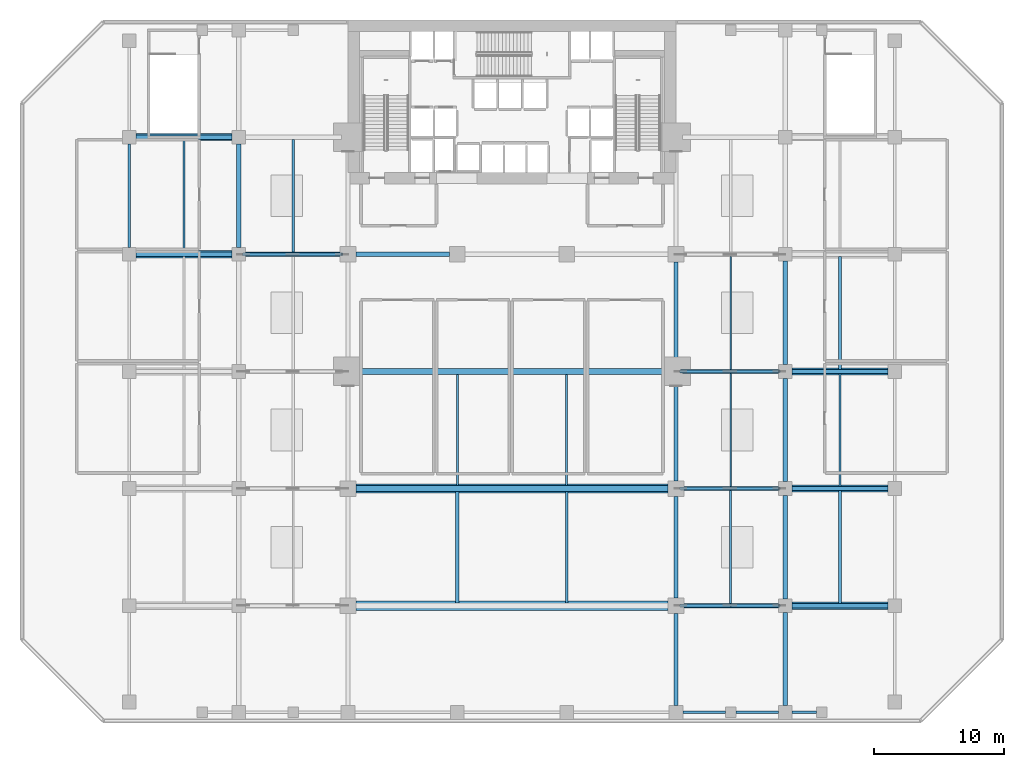
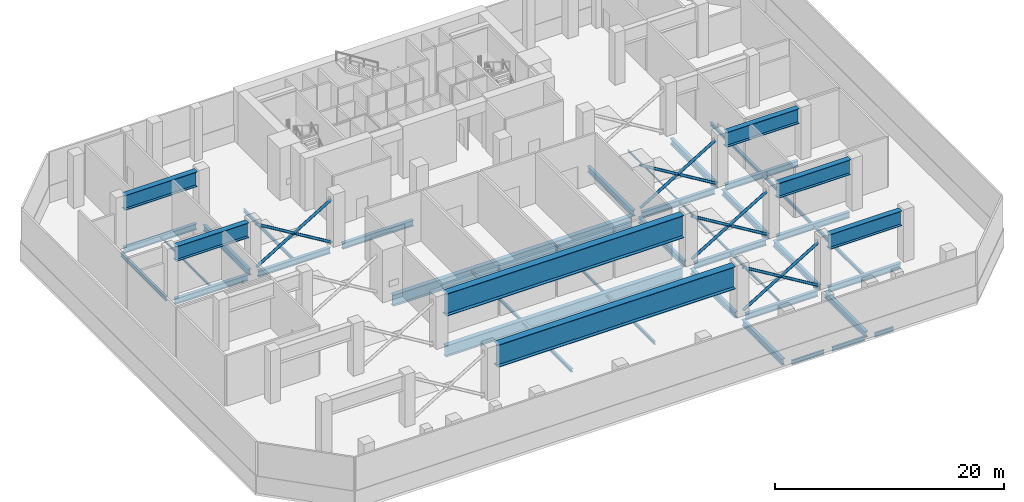
# One storey, part 2 of 15: 44 beams, 12 members.
"""IFC4 building model written with IfcOpenShell, lengths in metres."""

from ifc_helpers import new_model, si_unit, direction, frame, origin, origin_2d, place, context, subcontext, project, spatial, hollow_circle, i_section, extrude, material, material_profile, profile_set, type_object, element, save


model = new_model("IFC4")

# Units and contexts
model_context = context("Model", 3, precision=1e-05, world=origin(), true_north=direction((0.0, 1.0)))
body_context = subcontext(model_context, "Body", "Model", "MODEL_VIEW")
ifc_project = project(units=[si_unit("LENGTHUNIT", "METRE"), si_unit("AREAUNIT", "SQUARE_METRE"), si_unit("VOLUMEUNIT", "CUBIC_METRE"), si_unit("PLANEANGLEUNIT", "RADIAN"), si_unit("MASSUNIT", "GRAM", prefix="KILO")], contexts=[model_context])

# Site, building, storey
site_placement = place(None, origin())
site = spatial("IfcSite", under=ifc_project, at=site_placement, CompositionType="ELEMENT")
building_placement = place(site_placement, origin())
building = spatial("IfcBuilding", under=site, at=building_placement, Name="Maruvema Waterfront Hotel and Observation Tower", CompositionType="ELEMENT")
storey_placement = place(building_placement, frame((0.0, 0.0, 21.35009765625)))
storey = spatial("IfcBuildingStorey", under=building, at=storey_placement, Name="L04", CompositionType="ELEMENT", Elevation=21.35009765625)

# Beams
ifc_material_1 = material(Name="Steel ABNT NBR 7007 AR 415 (ASTM A572 Grade 50)", Category="steel")
ifc_material_profile_1 = material_profile(ifc_material_1, i_section(OverallWidth=0.699951171875, OverallDepth=2.39990234375, WebThickness=0.028076171875, FlangeThickness=0.050048828125, at=origin_2d()), Name="VS2400x892")
ifc_profile_set_1 = profile_set([ifc_material_profile_1], Name="Steel ABNT NBR 7007 AR 415 (ASTM A572 Grade 50)")
beam_type_1 = type_object("IfcBeamType", Name="Ballroom Transfer Girder VS2400x892", PredefinedType="USERDEFINED", material=ifc_profile_set_1)
for number, where, z_axis, x_axis, name in (
    (1, (25.800048828125, 9.0, 4.159912109375), (1.0, 0.0, 0.0), (0.0, 1.0, 0.0), "L04 Ballroom Transfer Girder Y=9.0m"),
    (2, (25.800048828125, 18.0, 4.159912109375), (1.0, 0.0, 0.0), (0.0, 1.0, 0.0), "L04 Ballroom Transfer Girder Y=18.0m"),
):
    element("IfcBeam", number, at=place(storey_placement, frame(where, z_axis=z_axis, x_axis=x_axis)), inside=storey, type_object=beam_type_1, Name=name, ObjectType="TRANSFER GIRDER", PredefinedType="USERDEFINED", context=body_context, shape_type="SweptSolid", body=[
        extrude(i_section(OverallWidth=0.699951171875, OverallDepth=2.39990234375, WebThickness=0.028076171875, FlangeThickness=0.050048828125, at=origin_2d()), origin(), (0.0, 0.0, 1.0), 24.0),
    ])
ifc_material_2 = material(Name="Steel ASTM A572 Grade 50", Category="steel")
ifc_material_profile_2 = material_profile(ifc_material_2, i_section(OverallWidth=0.18994140625, OverallDepth=0.45703125, WebThickness=0.009033203125, FlangeThickness=0.014404296875, FilletRadius=0.014892578125, at=origin_2d()), Name="W460x74.0")
ifc_profile_set_2 = profile_set([ifc_material_profile_2], Name="Steel ASTM A572 Grade 50")
beam_type_2 = type_object("IfcBeamType", Name="Perimeter Spandrel Beam W460x74.0", PredefinedType="SPANDREL", material=ifc_profile_set_2)
for number, where, z_axis, x_axis, name in (
    (3, (50.925048828125, 0.800048828125, -0.508544921875), (1.0, 0.0, 0.0), (0.0, 1.0, 0.0), "L04 Floor Girder EW-07"),
    (4, (55.0, 0.800048828125, -0.508544921875), (1.0, 0.0, 0.0), (0.0, 1.0, 0.0), "L04 Floor Girder EW-08"),
):
    element("IfcBeam", number, at=place(storey_placement, frame(where, z_axis=z_axis, x_axis=x_axis)), inside=storey, type_object=beam_type_2, Name=name, PredefinedType="SPANDREL", context=body_context, shape_type="SweptSolid", body=[
        extrude(i_section(OverallWidth=0.18994140625, OverallDepth=0.45703125, WebThickness=0.009033203125, FlangeThickness=0.014404296875, FilletRadius=0.014892578125, at=origin_2d()), origin(), (0.0, 0.0, 1.0), 3.27490234375),
    ])
beam_1_placement = place(storey_placement, frame((59.324951171875, 0.800048828125, -0.508544921875), z_axis=(1.0, 0.0, 0.0), x_axis=(0.0, 1.0, 0.0)))
element("IfcBeam", 5, at=beam_1_placement, inside=storey, type_object=beam_type_2, Name="L04 Floor Girder EW-09", PredefinedType="SPANDREL", context=body_context, shape_type="SweptSolid", body=[
    extrude(i_section(OverallWidth=0.18994140625, OverallDepth=0.45703125, WebThickness=0.009033203125, FlangeThickness=0.014404296875, FilletRadius=0.014892578125, at=origin_2d()), origin(), (0.0, 0.0, 1.0), 1.875),
])
beam_2_placement = place(storey_placement, frame((8.39990234375, 36.52490234375, -0.508544921875), z_axis=(0.0, 1.0, 0.0), x_axis=(-1.0, 0.0, 0.0)))
element("IfcBeam", 6, at=beam_2_placement, inside=storey, type_object=beam_type_2, Name="L04 Floor Girder NS-05", PredefinedType="SPANDREL", context=body_context, shape_type="SweptSolid", body=[
    extrude(i_section(OverallWidth=0.18994140625, OverallDepth=0.45703125, WebThickness=0.009033203125, FlangeThickness=0.014404296875, FilletRadius=0.014892578125, at=origin_2d()), origin(), (0.0, 0.0, 1.0), 7.9501953125),
])

# Members
ifc_material_3 = material(Name="Steel ABNT NBR 7007 AR 350 (ASTM A572 Grade 50)", Category="steel")
ifc_material_profile_3 = material_profile(ifc_material_3, hollow_circle(Radius=0.136474609375, WallThickness=0.012451171875, at=origin_2d()), Name="CHS273.0x12.5")
ifc_profile_set_3 = profile_set([ifc_material_profile_3], Name="Steel ABNT NBR 7007 AR 350 (ASTM A572 Grade 50)")
member_type = type_object("IfcMemberType", Name="Podium Transfer Strut CHS273.0x12.5", PredefinedType="BRACE", material=ifc_profile_set_3)
member_1_placement = place(storey_placement, frame((50.75, 9.0, 0.14990234375), z_axis=(0.855997175683, 0.0, 0.516980497913), x_axis=(0.0, 1.0, 0.0)))
element("IfcMember", 7, at=member_1_placement, inside=storey, type_object=member_type, Name="L04 Transfer Truss Diagonal 02 Continuous A", PredefinedType="BRACE", context=body_context, shape_type="SweptSolid", body=[
    extrude(hollow_circle(Radius=0.136474609375, WallThickness=0.012451171875, at=origin_2d()), origin(), (0.0, 0.0, 1.0), 8.878662109375),
])
for number, where, z_axis, x_axis, name in (
    (8, (58.35009765625, 9.0, 0.14990234375), (-0.856002637589, 0.0, 0.516971454183), (0.0, -1.0, 0.0), "L04 Transfer Truss Diagonal 02 Split Lower B1"),
    (9, (54.532958984375, 9.0, 2.455322265625), (-0.856002637589, 0.0, 0.516971454183), (0.0, -1.0, 0.0), "L04 Transfer Truss Diagonal 02 Split Upper B2"),
):
    element("IfcMember", number, at=place(storey_placement, frame(where, z_axis=z_axis, x_axis=x_axis)), inside=storey, type_object=member_type, Name=name, PredefinedType="BRACE", context=body_context, shape_type="SweptSolid", body=[
        extrude(hollow_circle(Radius=0.136474609375, WallThickness=0.012451171875, at=origin_2d()), origin(), (0.0, 0.0, 1.0), 4.41943359375),
    ])
member_2_placement = place(storey_placement, frame((50.75, 18.0, 0.14990234375), z_axis=(0.855997175683, 0.0, 0.516980497913), x_axis=(0.0, 1.0, 0.0)))
element("IfcMember", 10, at=member_2_placement, inside=storey, type_object=member_type, Name="L04 Transfer Truss Diagonal 04 Continuous A", PredefinedType="BRACE", context=body_context, shape_type="SweptSolid", body=[
    extrude(hollow_circle(Radius=0.136474609375, WallThickness=0.012451171875, at=origin_2d()), origin(), (0.0, 0.0, 1.0), 8.878662109375),
])
for number, where, z_axis, x_axis, name in (
    (11, (58.35009765625, 18.0, 0.14990234375), (-0.856002637589, 0.0, 0.516971454183), (0.0, -1.0, 0.0), "L04 Transfer Truss Diagonal 04 Split Lower B1"),
    (12, (54.532958984375, 18.0, 2.455322265625), (-0.856002637589, 0.0, 0.516971454183), (0.0, -1.0, 0.0), "L04 Transfer Truss Diagonal 04 Split Upper B2"),
):
    element("IfcMember", number, at=place(storey_placement, frame(where, z_axis=z_axis, x_axis=x_axis)), inside=storey, type_object=member_type, Name=name, PredefinedType="BRACE", context=body_context, shape_type="SweptSolid", body=[
        extrude(hollow_circle(Radius=0.136474609375, WallThickness=0.012451171875, at=origin_2d()), origin(), (0.0, 0.0, 1.0), 4.41943359375),
    ])
member_3_placement = place(storey_placement, frame((50.75, 27.0, 0.14990234375), z_axis=(0.855997175683, 0.0, 0.516980497913), x_axis=(0.0, 1.0, 0.0)))
element("IfcMember", 13, at=member_3_placement, inside=storey, type_object=member_type, Name="L04 Transfer Truss Diagonal 06 Continuous A", PredefinedType="BRACE", context=body_context, shape_type="SweptSolid", body=[
    extrude(hollow_circle(Radius=0.136474609375, WallThickness=0.012451171875, at=origin_2d()), origin(), (0.0, 0.0, 1.0), 8.878662109375),
])
for number, where, z_axis, x_axis, name in (
    (14, (58.35009765625, 27.0, 0.14990234375), (-0.856002637589, 0.0, 0.516971454183), (0.0, -1.0, 0.0), "L04 Transfer Truss Diagonal 06 Split Lower B1"),
    (15, (54.532958984375, 27.0, 2.455322265625), (-0.856002637589, 0.0, 0.516971454183), (0.0, -1.0, 0.0), "L04 Transfer Truss Diagonal 06 Split Upper B2"),
):
    element("IfcMember", number, at=place(storey_placement, frame(where, z_axis=z_axis, x_axis=x_axis)), inside=storey, type_object=member_type, Name=name, PredefinedType="BRACE", context=body_context, shape_type="SweptSolid", body=[
        extrude(hollow_circle(Radius=0.136474609375, WallThickness=0.012451171875, at=origin_2d()), origin(), (0.0, 0.0, 1.0), 4.41943359375),
    ])
member_4_placement = place(storey_placement, frame((17.14990234375, 36.0, 0.14990234375), z_axis=(0.855997175683, 0.0, 0.516980497913), x_axis=(0.0, 1.0, 0.0)))
element("IfcMember", 16, at=member_4_placement, inside=storey, type_object=member_type, Name="L04 Transfer Truss Diagonal 07 Continuous A", PredefinedType="BRACE", context=body_context, shape_type="SweptSolid", body=[
    extrude(hollow_circle(Radius=0.136474609375, WallThickness=0.012451171875, at=origin_2d()), origin(), (0.0, 0.0, 1.0), 8.878662109375),
])
for number, where, z_axis, x_axis, name in (
    (17, (24.75, 36.0, 0.14990234375), (-0.856002637589, 0.0, 0.516971454183), (0.0, -1.0, 0.0), "L04 Transfer Truss Diagonal 07 Split Lower B1"),
    (18, (20.932861328125, 36.0, 2.455322265625), (-0.856002637589, 0.0, 0.516971454183), (0.0, -1.0, 0.0), "L04 Transfer Truss Diagonal 07 Split Upper B2"),
):
    element("IfcMember", number, at=place(storey_placement, frame(where, z_axis=z_axis, x_axis=x_axis)), inside=storey, type_object=member_type, Name=name, PredefinedType="BRACE", context=body_context, shape_type="SweptSolid", body=[
        extrude(hollow_circle(Radius=0.136474609375, WallThickness=0.012451171875, at=origin_2d()), origin(), (0.0, 0.0, 1.0), 4.41943359375),
    ])

# Beams
ifc_material_4 = material(Name="Steel ASTM A572 Grade 50", Category="steel")
ifc_material_profile_4 = material_profile(ifc_material_4, i_section(OverallWidth=0.3291015625, OverallDepth=0.635009765625, WebThickness=0.017822265625, FlangeThickness=0.031005859375, FilletRadius=0.01806640625, at=origin_2d()), Name="W610x241.0")
ifc_profile_set_4 = profile_set([ifc_material_profile_4], Name="Steel ASTM A572 Grade 50")
beam_type_3 = type_object("IfcBeamType", Name="Primary Floor Girder W610x241.0", PredefinedType="BEAM", material=ifc_profile_set_4)
beam_3_placement = place(storey_placement, frame((51.0, 9.0, -0.59765625), z_axis=(1.0, 0.0, 0.0), x_axis=(0.0, 1.0, 0.0)))
element("IfcBeam", 19, at=beam_3_placement, inside=storey, type_object=beam_type_3, Name="L04 Floor Girder EW-13", PredefinedType="BEAM", context=body_context, shape_type="SweptSolid", body=[
    extrude(i_section(OverallWidth=0.3291015625, OverallDepth=0.635009765625, WebThickness=0.017822265625, FlangeThickness=0.031005859375, FilletRadius=0.01806640625, at=origin_2d()), origin(), (0.0, 0.0, 1.0), 7.27490234375),
])
beam_4_placement = place(storey_placement, frame((59.324951171875, 9.0, -0.59765625), z_axis=(1.0, 0.0, 0.0), x_axis=(0.0, 1.0, 0.0)))
element("IfcBeam", 20, at=beam_4_placement, inside=storey, type_object=beam_type_3, Name="L04 Floor Girder EW-14", PredefinedType="BEAM", context=body_context, shape_type="SweptSolid", body=[
    extrude(i_section(OverallWidth=0.3291015625, OverallDepth=0.635009765625, WebThickness=0.017822265625, FlangeThickness=0.031005859375, FilletRadius=0.01806640625, at=origin_2d()), origin(), (0.0, 0.0, 1.0), 7.35009765625),
])
beam_5_placement = place(storey_placement, frame((51.0, 18.0, -0.59765625), z_axis=(1.0, 0.0, 0.0), x_axis=(0.0, 1.0, 0.0)))
element("IfcBeam", 21, at=beam_5_placement, inside=storey, type_object=beam_type_3, Name="L04 Floor Girder EW-18", PredefinedType="BEAM", context=body_context, shape_type="SweptSolid", body=[
    extrude(i_section(OverallWidth=0.3291015625, OverallDepth=0.635009765625, WebThickness=0.017822265625, FlangeThickness=0.031005859375, FilletRadius=0.01806640625, at=origin_2d()), origin(), (0.0, 0.0, 1.0), 7.27490234375),
])
beam_6_placement = place(storey_placement, frame((59.324951171875, 18.0, -0.59765625), z_axis=(1.0, 0.0, 0.0), x_axis=(0.0, 1.0, 0.0)))
element("IfcBeam", 22, at=beam_6_placement, inside=storey, type_object=beam_type_3, Name="L04 Floor Girder EW-19", PredefinedType="BEAM", context=body_context, shape_type="SweptSolid", body=[
    extrude(i_section(OverallWidth=0.3291015625, OverallDepth=0.635009765625, WebThickness=0.017822265625, FlangeThickness=0.031005859375, FilletRadius=0.01806640625, at=origin_2d()), origin(), (0.0, 0.0, 1.0), 7.35009765625),
])
beam_7_placement = place(storey_placement, frame((50.89990234375, 27.0, -0.59765625), z_axis=(1.0, 0.0, 0.0), x_axis=(0.0, 1.0, 0.0)))
element("IfcBeam", 23, at=beam_7_placement, inside=storey, type_object=beam_type_3, Name="L04 Floor Girder EW-23", PredefinedType="BEAM", context=body_context, shape_type="SweptSolid", body=[
    extrude(i_section(OverallWidth=0.3291015625, OverallDepth=0.635009765625, WebThickness=0.017822265625, FlangeThickness=0.031005859375, FilletRadius=0.01806640625, at=origin_2d()), origin(), (0.0, 0.0, 1.0), 7.375),
])
beam_8_placement = place(storey_placement, frame((59.324951171875, 27.0, -0.59765625), z_axis=(1.0, 0.0, 0.0), x_axis=(0.0, 1.0, 0.0)))
element("IfcBeam", 24, at=beam_8_placement, inside=storey, type_object=beam_type_3, Name="L04 Floor Girder EW-24", PredefinedType="BEAM", context=body_context, shape_type="SweptSolid", body=[
    extrude(i_section(OverallWidth=0.3291015625, OverallDepth=0.635009765625, WebThickness=0.017822265625, FlangeThickness=0.031005859375, FilletRadius=0.01806640625, at=origin_2d()), origin(), (0.0, 0.0, 1.0), 7.35009765625),
])
beam_9_placement = place(storey_placement, frame((8.925048828125, 36.0, -0.59765625), z_axis=(1.0, 0.0, 0.0), x_axis=(0.0, 1.0, 0.0)))
element("IfcBeam", 25, at=beam_9_placement, inside=storey, type_object=beam_type_3, Name="L04 Floor Girder EW-25", PredefinedType="BEAM", context=body_context, shape_type="SweptSolid", body=[
    extrude(i_section(OverallWidth=0.3291015625, OverallDepth=0.635009765625, WebThickness=0.017822265625, FlangeThickness=0.031005859375, FilletRadius=0.01806640625, at=origin_2d()), origin(), (0.0, 0.0, 1.0), 7.349853515625),
])
beam_10_placement = place(storey_placement, frame((17.324951171875, 36.0, -0.59765625), z_axis=(1.0, 0.0, 0.0), x_axis=(0.0, 1.0, 0.0)))
element("IfcBeam", 26, at=beam_10_placement, inside=storey, type_object=beam_type_3, Name="L04 Floor Girder EW-26", PredefinedType="BEAM", context=body_context, shape_type="SweptSolid", body=[
    extrude(i_section(OverallWidth=0.3291015625, OverallDepth=0.635009765625, WebThickness=0.017822265625, FlangeThickness=0.031005859375, FilletRadius=0.01806640625, at=origin_2d()), origin(), (0.0, 0.0, 1.0), 7.275146484375),
])
beam_11_placement = place(storey_placement, frame((25.800048828125, 36.0, -0.59765625), z_axis=(1.0, 0.0, 0.0), x_axis=(0.0, 1.0, 0.0)))
element("IfcBeam", 27, at=beam_11_placement, inside=storey, type_object=beam_type_3, Name="L04 Floor Girder EW-27", PredefinedType="BEAM", context=body_context, shape_type="SweptSolid", body=[
    extrude(i_section(OverallWidth=0.3291015625, OverallDepth=0.635009765625, WebThickness=0.017822265625, FlangeThickness=0.031005859375, FilletRadius=0.01806640625, at=origin_2d()), origin(), (0.0, 0.0, 1.0), 7.199951171875),
])
beam_12_placement = place(storey_placement, frame((8.925048828125, 45.0, -0.59765625), z_axis=(1.0, 0.0, 0.0), x_axis=(0.0, 1.0, 0.0)))
element("IfcBeam", 28, at=beam_12_placement, inside=storey, type_object=beam_type_3, Name="L04 Floor Girder EW-32", PredefinedType="BEAM", context=body_context, shape_type="SweptSolid", body=[
    extrude(i_section(OverallWidth=0.3291015625, OverallDepth=0.635009765625, WebThickness=0.017822265625, FlangeThickness=0.031005859375, FilletRadius=0.01806640625, at=origin_2d()), origin(), (0.0, 0.0, 1.0), 7.349853515625),
])
beam_13_placement = place(storey_placement, frame((16.800048828125, 36.52490234375, -0.59765625), z_axis=(0.0, 1.0, 0.0), x_axis=(-1.0, 0.0, 0.0)))
element("IfcBeam", 29, at=beam_13_placement, inside=storey, type_object=beam_type_3, Name="L04 Floor Girder NS-11", PredefinedType="BEAM", context=body_context, shape_type="SweptSolid", body=[
    extrude(i_section(OverallWidth=0.3291015625, OverallDepth=0.635009765625, WebThickness=0.017822265625, FlangeThickness=0.031005859375, FilletRadius=0.01806640625, at=origin_2d()), origin(), (0.0, 0.0, 1.0), 7.9501953125),
])
beam_14_placement = place(storey_placement, frame((50.39990234375, 1.324951171875, -0.59765625), z_axis=(0.0, 1.0, 0.0), x_axis=(-1.0, 0.0, 0.0)))
element("IfcBeam", 30, at=beam_14_placement, inside=storey, type_object=beam_type_3, Name="L04 Floor Girder NS-18", PredefinedType="BEAM", context=body_context, shape_type="SweptSolid", body=[
    extrude(i_section(OverallWidth=0.3291015625, OverallDepth=0.635009765625, WebThickness=0.017822265625, FlangeThickness=0.031005859375, FilletRadius=0.01806640625, at=origin_2d()), origin(), (0.0, 0.0, 1.0), 7.074951171875),
])
beam_15_placement = place(storey_placement, frame((50.39990234375, 9.60009765625, -0.59765625), z_axis=(0.0, 1.0, 0.0), x_axis=(-1.0, 0.0, 0.0)))
element("IfcBeam", 31, at=beam_15_placement, inside=storey, type_object=beam_type_3, Name="L04 Floor Girder NS-19", PredefinedType="BEAM", context=body_context, shape_type="SweptSolid", body=[
    extrude(i_section(OverallWidth=0.3291015625, OverallDepth=0.635009765625, WebThickness=0.017822265625, FlangeThickness=0.031005859375, FilletRadius=0.01806640625, at=origin_2d()), origin(), (0.0, 0.0, 1.0), 7.7998046875),
])
for number, where, z_axis, x_axis, name in (
    (32, (50.39990234375, 18.60009765625, -0.59765625), (0.0, 1.0, 0.0), (-1.0, 0.0, 0.0), "L04 Floor Girder NS-20"),
    (33, (50.39990234375, 27.5, -0.59765625), (0.0, 1.0, 0.0), (-1.0, 0.0, 0.0), "L04 Floor Girder NS-21"),
):
    element("IfcBeam", number, at=place(storey_placement, frame(where, z_axis=z_axis, x_axis=x_axis)), inside=storey, type_object=beam_type_3, Name=name, PredefinedType="BEAM", context=body_context, shape_type="SweptSolid", body=[
        extrude(i_section(OverallWidth=0.3291015625, OverallDepth=0.635009765625, WebThickness=0.017822265625, FlangeThickness=0.031005859375, FilletRadius=0.01806640625, at=origin_2d()), origin(), (0.0, 0.0, 1.0), 7.89990234375),
    ])
beam_16_placement = place(storey_placement, frame((58.800048828125, 1.324951171875, -0.59765625), z_axis=(0.0, 1.0, 0.0), x_axis=(-1.0, 0.0, 0.0)))
element("IfcBeam", 34, at=beam_16_placement, inside=storey, type_object=beam_type_3, Name="L04 Floor Girder NS-23", PredefinedType="BEAM", context=body_context, shape_type="SweptSolid", body=[
    extrude(i_section(OverallWidth=0.3291015625, OverallDepth=0.635009765625, WebThickness=0.017822265625, FlangeThickness=0.031005859375, FilletRadius=0.01806640625, at=origin_2d()), origin(), (0.0, 0.0, 1.0), 7.150146484375),
])
for number, where, z_axis, x_axis, name in (
    (35, (58.800048828125, 9.52490234375, -0.59765625), (0.0, 1.0, 0.0), (-1.0, 0.0, 0.0), "L04 Floor Girder NS-24"),
    (36, (58.800048828125, 18.52490234375, -0.59765625), (0.0, 1.0, 0.0), (-1.0, 0.0, 0.0), "L04 Floor Girder NS-25"),
    (37, (58.800048828125, 27.52490234375, -0.59765625), (0.0, 1.0, 0.0), (-1.0, 0.0, 0.0), "L04 Floor Girder NS-26"),
):
    element("IfcBeam", number, at=place(storey_placement, frame(where, z_axis=z_axis, x_axis=x_axis)), inside=storey, type_object=beam_type_3, Name=name, PredefinedType="BEAM", context=body_context, shape_type="SweptSolid", body=[
        extrude(i_section(OverallWidth=0.3291015625, OverallDepth=0.635009765625, WebThickness=0.017822265625, FlangeThickness=0.031005859375, FilletRadius=0.01806640625, at=origin_2d()), origin(), (0.0, 0.0, 1.0), 7.9501953125),
    ])
ifc_material_5 = material(Name="Steel ASTM A572 Grade 50", Category="steel")
ifc_material_profile_5 = material_profile(ifc_material_5, i_section(OverallWidth=0.10009765625, OverallDepth=0.153076171875, WebThickness=0.005859375, FlangeThickness=0.007080078125, FilletRadius=0.008056640625, at=origin_2d()), Name="W150x18.0")
ifc_profile_set_5 = profile_set([ifc_material_profile_5], Name="Steel ASTM A572 Grade 50")
beam_type_4 = type_object("IfcBeamType", Name="Secondary Floor Joist W150x18.0", PredefinedType="JOIST", material=ifc_profile_set_5)
beam_17_placement = place(storey_placement, frame((54.60009765625, 27.16455078125, -0.356689453125), z_axis=(0.0, 1.0, 0.0), x_axis=(-1.0, 0.0, 0.0)))
element("IfcBeam", 38, at=beam_17_placement, inside=storey, type_object=beam_type_4, Name="L04 Secondary Floor Joist JS-15", PredefinedType="JOIST", context=body_context, shape_type="SweptSolid", body=[
    extrude(i_section(OverallWidth=0.10009765625, OverallDepth=0.153076171875, WebThickness=0.005859375, FlangeThickness=0.007080078125, FilletRadius=0.008056640625, at=origin_2d()), origin(), (0.0, 0.0, 1.0), 8.6708984375),
])
ifc_material_6 = material(Name="Steel ASTM A572 Grade 50", Category="steel")
ifc_material_profile_6 = material_profile(ifc_material_6, i_section(OverallWidth=0.133056640625, OverallDepth=0.20703125, WebThickness=0.005859375, FlangeThickness=0.00830078125, FilletRadius=0.010009765625, at=origin_2d()), Name="W200x26.6")
ifc_profile_set_6 = profile_set([ifc_material_profile_6], Name="Steel ASTM A572 Grade 50")
beam_type_5 = type_object("IfcBeamType", Name="Secondary Floor Joist W200x26.6", PredefinedType="JOIST", material=ifc_profile_set_6)
for number, where, z_axis, x_axis, name in (
    (39, (12.60009765625, 36.16455078125, -0.383544921875), (0.0, 1.0, 0.0), (-1.0, 0.0, 0.0), "L04 Secondary Floor Joist JS-04"),
    (40, (54.60009765625, 18.16455078125, -0.383544921875), (0.0, 1.0, 0.0), (-1.0, 0.0, 0.0), "L04 Secondary Floor Joist JS-14"),
):
    element("IfcBeam", number, at=place(storey_placement, frame(where, z_axis=z_axis, x_axis=x_axis)), inside=storey, type_object=beam_type_5, Name=name, PredefinedType="JOIST", context=body_context, shape_type="SweptSolid", body=[
        extrude(i_section(OverallWidth=0.133056640625, OverallDepth=0.20703125, WebThickness=0.005859375, FlangeThickness=0.00830078125, FilletRadius=0.010009765625, at=origin_2d()), origin(), (0.0, 0.0, 1.0), 8.6708984375),
    ])
ifc_material_7 = material(Name="Steel ASTM A572 Grade 50", Category="steel")
ifc_material_profile_7 = material_profile(ifc_material_7, i_section(OverallWidth=0.14599609375, OverallDepth=0.258056640625, WebThickness=0.006103515625, FlangeThickness=0.009033203125, FilletRadius=0.012939453125, at=origin_2d()), Name="W250x32.7")
ifc_profile_set_7 = profile_set([ifc_material_profile_7], Name="Steel ASTM A572 Grade 50")
beam_type_6 = type_object("IfcBeamType", Name="Secondary Floor Joist W250x32.7", PredefinedType="JOIST", material=ifc_profile_set_7)
beam_18_placement = place(storey_placement, frame((54.60009765625, 9.16455078125, -0.4091796875), z_axis=(0.0, 1.0, 0.0), x_axis=(-1.0, 0.0, 0.0)))
element("IfcBeam", 41, at=beam_18_placement, inside=storey, type_object=beam_type_6, Name="L04 Secondary Floor Joist JS-13", PredefinedType="JOIST", context=body_context, shape_type="SweptSolid", body=[
    extrude(i_section(OverallWidth=0.14599609375, OverallDepth=0.258056640625, WebThickness=0.006103515625, FlangeThickness=0.009033203125, FilletRadius=0.012939453125, at=origin_2d()), origin(), (0.0, 0.0, 1.0), 8.6708984375),
])
ifc_material_8 = material(Name="Steel ASTM A572 Grade 50", Category="steel")
ifc_material_profile_8 = material_profile(ifc_material_8, i_section(OverallWidth=0.14794921875, OverallDepth=0.26611328125, WebThickness=0.007568359375, FlangeThickness=0.012939453125, FilletRadius=0.012939453125, at=origin_2d()), Name="W250x44.8")
ifc_profile_set_8 = profile_set([ifc_material_profile_8], Name="Steel ASTM A572 Grade 50")
beam_type_7 = type_object("IfcBeamType", Name="Secondary Floor Joist W250x44.8", PredefinedType="JOIST", material=ifc_profile_set_8)
beam_19_placement = place(storey_placement, frame((42.0, 18.22509765625, -0.4130859375), z_axis=(0.0, 1.0, 0.0), x_axis=(-1.0, 0.0, 0.0)))
element("IfcBeam", 42, at=beam_19_placement, inside=storey, type_object=beam_type_7, Name="L04 Secondary Floor Joist JS-12", PredefinedType="JOIST", context=body_context, shape_type="SweptSolid", body=[
    extrude(i_section(OverallWidth=0.14794921875, OverallDepth=0.26611328125, WebThickness=0.007568359375, FlangeThickness=0.012939453125, FilletRadius=0.012939453125, at=origin_2d()), origin(), (0.0, 0.0, 1.0), 8.5498046875),
])
ifc_material_9 = material(Name="Steel ASTM A572 Grade 50", Category="steel")
ifc_material_profile_9 = material_profile(ifc_material_9, i_section(OverallWidth=0.1650390625, OverallDepth=0.31005859375, WebThickness=0.005859375, FlangeThickness=0.009765625, FilletRadius=0.012939453125, at=origin_2d()), Name="W310x38.7")
ifc_profile_set_9 = profile_set([ifc_material_profile_9], Name="Steel ASTM A572 Grade 50")
beam_type_8 = type_object("IfcBeamType", Name="Secondary Floor Joist W310x38.7", PredefinedType="JOIST", material=ifc_profile_set_9)
beam_20_placement = place(storey_placement, frame((33.60009765625, 18.22509765625, -0.43505859375), z_axis=(0.0, 1.0, 0.0), x_axis=(-1.0, 0.0, 0.0)))
element("IfcBeam", 43, at=beam_20_placement, inside=storey, type_object=beam_type_8, Name="L04 Secondary Floor Joist JS-11", PredefinedType="JOIST", context=body_context, shape_type="SweptSolid", body=[
    extrude(i_section(OverallWidth=0.1650390625, OverallDepth=0.31005859375, WebThickness=0.005859375, FlangeThickness=0.009765625, FilletRadius=0.012939453125, at=origin_2d()), origin(), (0.0, 0.0, 1.0), 8.5498046875),
])
ifc_material_10 = material(Name="Steel ASTM A572 Grade 50", Category="steel")
ifc_material_profile_10 = material_profile(ifc_material_10, i_section(OverallWidth=0.1669921875, OverallDepth=0.31689453125, WebThickness=0.007568359375, FlangeThickness=0.01318359375, FilletRadius=0.012939453125, at=origin_2d()), Name="W310x52.0")
ifc_profile_set_10 = profile_set([ifc_material_profile_10], Name="Steel ASTM A572 Grade 50")
beam_type_9 = type_object("IfcBeamType", Name="Secondary Floor Joist W310x52.0", PredefinedType="JOIST", material=ifc_profile_set_10)
beam_21_placement = place(storey_placement, frame((42.0, 9.22509765625, -0.4384765625), z_axis=(0.0, 1.0, 0.0), x_axis=(-1.0, 0.0, 0.0)))
element("IfcBeam", 44, at=beam_21_placement, inside=storey, type_object=beam_type_9, Name="L04 Secondary Floor Joist JS-10", PredefinedType="JOIST", context=body_context, shape_type="SweptSolid", body=[
    extrude(i_section(OverallWidth=0.1669921875, OverallDepth=0.31689453125, WebThickness=0.007568359375, FlangeThickness=0.01318359375, FilletRadius=0.012939453125, at=origin_2d()), origin(), (0.0, 0.0, 1.0), 8.5498046875),
])
ifc_material_11 = material(Name="Steel ASTM A572 Grade 50", Category="steel")
ifc_material_profile_11 = material_profile(ifc_material_11, i_section(OverallWidth=0.25390625, OverallDepth=0.305908203125, WebThickness=0.0087890625, FlangeThickness=0.0146484375, FilletRadius=0.014892578125, at=origin_2d()), Name="W310x79.0")
ifc_profile_set_11 = profile_set([ifc_material_profile_11], Name="Steel ASTM A572 Grade 50")
beam_type_10 = type_object("IfcBeamType", Name="Secondary Floor Joist W310x79.0", PredefinedType="JOIST", material=ifc_profile_set_11)
beam_22_placement = place(storey_placement, frame((33.60009765625, 9.22509765625, -0.43310546875), z_axis=(0.0, 1.0, 0.0), x_axis=(-1.0, 0.0, 0.0)))
element("IfcBeam", 45, at=beam_22_placement, inside=storey, type_object=beam_type_10, Name="L04 Secondary Floor Joist JS-09", PredefinedType="JOIST", context=body_context, shape_type="SweptSolid", body=[
    extrude(i_section(OverallWidth=0.25390625, OverallDepth=0.305908203125, WebThickness=0.0087890625, FlangeThickness=0.0146484375, FilletRadius=0.014892578125, at=origin_2d()), origin(), (0.0, 0.0, 1.0), 8.5498046875),
])
beam_23_placement = place(storey_placement, frame((63.0, 27.16455078125, -0.43310546875), z_axis=(0.0, 1.0, 0.0), x_axis=(-1.0, 0.0, 0.0)))
element("IfcBeam", 46, at=beam_23_placement, inside=storey, type_object=beam_type_10, Name="L04 Secondary Floor Joist JS-19", PredefinedType="JOIST", context=body_context, shape_type="SweptSolid", body=[
    extrude(i_section(OverallWidth=0.25390625, OverallDepth=0.305908203125, WebThickness=0.0087890625, FlangeThickness=0.0146484375, FilletRadius=0.014892578125, at=origin_2d()), origin(), (0.0, 0.0, 1.0), 8.6708984375),
])
ifc_material_12 = material(Name="Steel ASTM A572 Grade 50", Category="steel")
ifc_material_profile_12 = material_profile(ifc_material_12, i_section(OverallWidth=0.1708984375, OverallDepth=0.35498046875, WebThickness=0.007080078125, FlangeThickness=0.01171875, FilletRadius=0.014892578125, at=origin_2d()), Name="W360x51.0")
ifc_profile_set_12 = profile_set([ifc_material_profile_12], Name="Steel ASTM A572 Grade 50")
beam_type_11 = type_object("IfcBeamType", Name="Secondary Floor Joist W360x51.0", PredefinedType="JOIST", material=ifc_profile_set_12)
for number, where, z_axis, x_axis, name in (
    (47, (21.0, 36.16455078125, -0.45751953125), (0.0, 1.0, 0.0), (-1.0, 0.0, 0.0), "L04 Secondary Floor Joist JS-08"),
    (48, (63.0, 18.16455078125, -0.45751953125), (0.0, 1.0, 0.0), (-1.0, 0.0, 0.0), "L04 Secondary Floor Joist JS-18"),
):
    element("IfcBeam", number, at=place(storey_placement, frame(where, z_axis=z_axis, x_axis=x_axis)), inside=storey, type_object=beam_type_11, Name=name, PredefinedType="JOIST", context=body_context, shape_type="SweptSolid", body=[
        extrude(i_section(OverallWidth=0.1708984375, OverallDepth=0.35498046875, WebThickness=0.007080078125, FlangeThickness=0.01171875, FilletRadius=0.014892578125, at=origin_2d()), origin(), (0.0, 0.0, 1.0), 8.6708984375),
    ])
ifc_material_13 = material(Name="Steel ASTM A572 Grade 50", Category="steel")
ifc_material_profile_13 = material_profile(ifc_material_13, i_section(OverallWidth=0.202880859375, OverallDepth=0.346923828125, WebThickness=0.0078125, FlangeThickness=0.013427734375, FilletRadius=0.014892578125, at=origin_2d()), Name="W360x64.0")
ifc_profile_set_13 = profile_set([ifc_material_profile_13], Name="Steel ASTM A572 Grade 50")
beam_type_12 = type_object("IfcBeamType", Name="Secondary Floor Joist W360x64.0", PredefinedType="JOIST", material=ifc_profile_set_13)
beam_24_placement = place(storey_placement, frame((63.0, 9.16455078125, -0.45361328125), z_axis=(0.0, 1.0, 0.0), x_axis=(-1.0, 0.0, 0.0)))
element("IfcBeam", 49, at=beam_24_placement, inside=storey, type_object=beam_type_12, Name="L04 Secondary Floor Joist JS-17", PredefinedType="JOIST", context=body_context, shape_type="SweptSolid", body=[
    extrude(i_section(OverallWidth=0.202880859375, OverallDepth=0.346923828125, WebThickness=0.0078125, FlangeThickness=0.013427734375, FilletRadius=0.014892578125, at=origin_2d()), origin(), (0.0, 0.0, 1.0), 8.6708984375),
])
ifc_material_14 = material(Name="Steel ABNT NBR 7007 AR 415 (ASTM A572 Grade 50)", Category="steel")
ifc_material_profile_14 = material_profile(ifc_material_14, i_section(OverallWidth=0.550048828125, OverallDepth=1.60009765625, WebThickness=0.02197265625, FlangeThickness=0.0400390625, at=origin_2d()), Name="VS1600x548")
ifc_profile_set_14 = profile_set([ifc_material_profile_14], Name="Steel ABNT NBR 7007 AR 415 (ASTM A572 Grade 50)")
beam_type_13 = type_object("IfcBeamType", Name="Setback Transfer Girder VS1600x548", PredefinedType="USERDEFINED", material=ifc_profile_set_14)
for number, where, z_axis, x_axis, name in (
    (50, (59.324951171875, 9.0, 4.559814453125), (1.0, 0.0, 0.0), (0.0, 1.0, 0.0), "L04 Setback Transfer Girder E Y=9.0m"),
    (51, (59.324951171875, 18.0, 4.559814453125), (1.0, 0.0, 0.0), (0.0, 1.0, 0.0), "L04 Setback Transfer Girder E Y=18.0m"),
    (52, (59.324951171875, 27.0, 4.559814453125), (1.0, 0.0, 0.0), (0.0, 1.0, 0.0), "L04 Setback Transfer Girder E Y=27.0m"),
):
    element("IfcBeam", number, at=place(storey_placement, frame(where, z_axis=z_axis, x_axis=x_axis)), inside=storey, type_object=beam_type_13, Name=name, ObjectType="TRANSFER GIRDER", PredefinedType="USERDEFINED", context=body_context, shape_type="SweptSolid", body=[
        extrude(i_section(OverallWidth=0.550048828125, OverallDepth=1.60009765625, WebThickness=0.02197265625, FlangeThickness=0.0400390625, at=origin_2d()), origin(), (0.0, 0.0, 1.0), 7.35009765625),
    ])
for number, where, z_axis, x_axis, name in (
    (53, (8.925048828125, 36.0, 4.559814453125), (1.0, 0.0, 0.0), (0.0, 1.0, 0.0), "L04 Setback Transfer Girder W Y=36.0m"),
    (54, (8.925048828125, 45.0, 4.559814453125), (1.0, 0.0, 0.0), (0.0, 1.0, 0.0), "L04 Setback Transfer Girder W Y=45.0m"),
):
    element("IfcBeam", number, at=place(storey_placement, frame(where, z_axis=z_axis, x_axis=x_axis)), inside=storey, type_object=beam_type_13, Name=name, ObjectType="TRANSFER GIRDER", PredefinedType="USERDEFINED", context=body_context, shape_type="SweptSolid", body=[
        extrude(i_section(OverallWidth=0.550048828125, OverallDepth=1.60009765625, WebThickness=0.02197265625, FlangeThickness=0.0400390625, at=origin_2d()), origin(), (0.0, 0.0, 1.0), 7.349853515625),
    ])
ifc_material_15 = material(Name="Steel ABNT NBR 7007 AR 415 (ASTM A572 Grade 50)", Category="steel")
ifc_material_profile_15 = material_profile(ifc_material_15, i_section(OverallWidth=0.449951171875, OverallDepth=1.199951171875, WebThickness=0.01904296875, FlangeThickness=0.031982421875, at=origin_2d()), Name="VS1200x366")
ifc_profile_set_15 = profile_set([ifc_material_profile_15], Name="Steel ABNT NBR 7007 AR 415 (ASTM A572 Grade 50)")
beam_type_14 = type_object("IfcBeamType", Name="Upper Setback Transfer Girder VS1200x366", PredefinedType="USERDEFINED", material=ifc_profile_set_15)
beam_25_placement = place(storey_placement, frame((25.800048828125, 18.0, -0.880126953125), z_axis=(1.0, 0.0, 0.0), x_axis=(0.0, 1.0, 0.0)))
element("IfcBeam", 55, at=beam_25_placement, inside=storey, type_object=beam_type_14, Name="L04 Floor Girder EW-17", ObjectType="TRANSFER GIRDER", PredefinedType="USERDEFINED", context=body_context, shape_type="SweptSolid", body=[
    extrude(i_section(OverallWidth=0.449951171875, OverallDepth=1.199951171875, WebThickness=0.01904296875, FlangeThickness=0.031982421875, at=origin_2d()), origin(), (0.0, 0.0, 1.0), 24.0),
])
beam_26_placement = place(storey_placement, frame((25.699951171875, 27.0, -0.880126953125), z_axis=(1.0, 0.0, 0.0), x_axis=(0.0, 1.0, 0.0)))
element("IfcBeam", 56, at=beam_26_placement, inside=storey, type_object=beam_type_14, Name="L04 Floor Girder EW-22", ObjectType="TRANSFER GIRDER", PredefinedType="USERDEFINED", context=body_context, shape_type="SweptSolid", body=[
    extrude(i_section(OverallWidth=0.449951171875, OverallDepth=1.199951171875, WebThickness=0.01904296875, FlangeThickness=0.031982421875, at=origin_2d()), origin(), (0.0, 0.0, 1.0), 24.199951171875),
])

save(model, "model.ifc")
